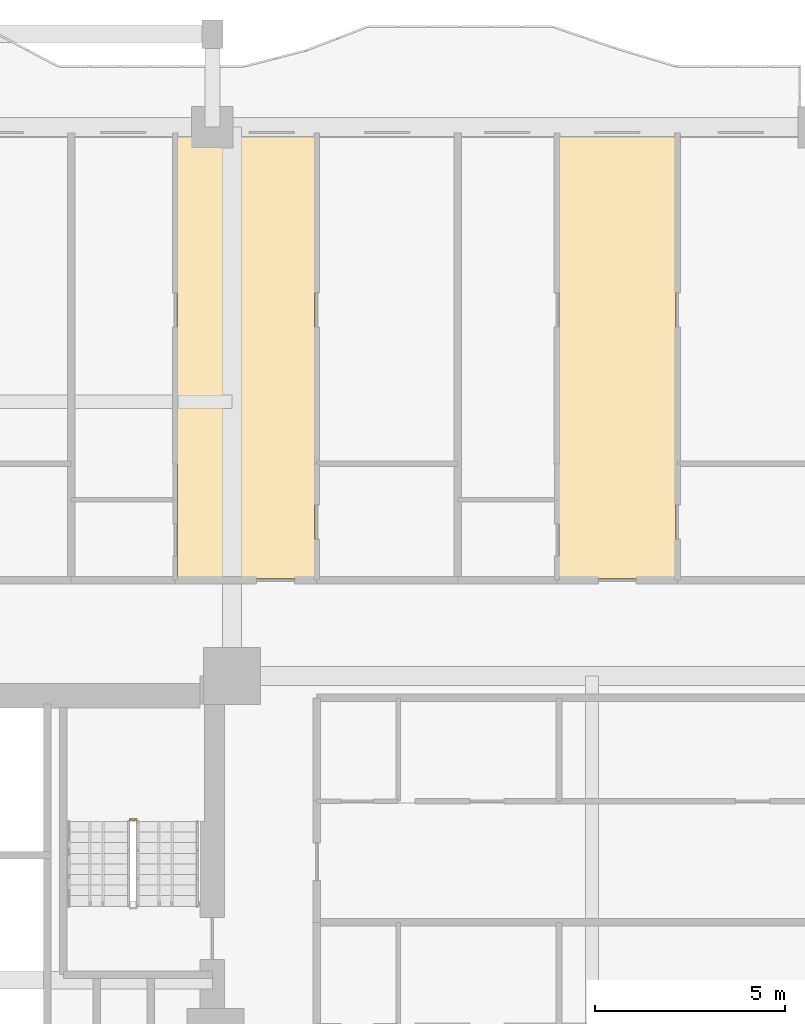
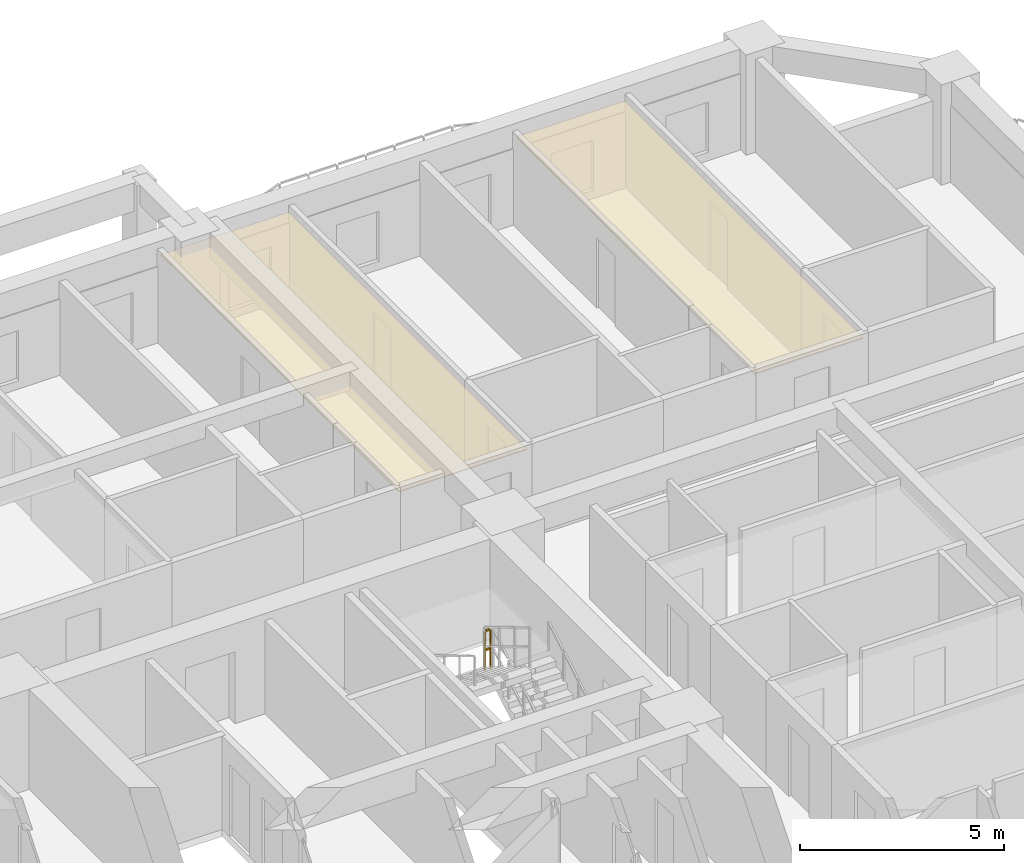
# One storey, part 18 of 18: 2 coverings, 1 railing.
"""IFC4 building model written with IfcOpenShell, lengths in metres."""

from ifc_helpers import new_model, si_unit, direction, frame, origin, origin_2d, place, context, subcontext, project, spatial, polyline, rectangle, outline, extrude, material, layer, layer_set, type_object, element, save


model = new_model("IFC4")

# Units and contexts
model_context = context("Model", 3, precision=1e-05, world=origin(), true_north=direction((0.0, 1.0)))
body_context = subcontext(model_context, "Body", "Model", "MODEL_VIEW")
ifc_project = project(units=[si_unit("LENGTHUNIT", "METRE"), si_unit("AREAUNIT", "SQUARE_METRE"), si_unit("VOLUMEUNIT", "CUBIC_METRE"), si_unit("PLANEANGLEUNIT", "RADIAN"), si_unit("MASSUNIT", "GRAM", prefix="KILO")], contexts=[model_context])

# Site, building, storey
site_placement = place(None, origin())
site = spatial("IfcSite", under=ifc_project, at=site_placement, CompositionType="ELEMENT")
building_placement = place(site_placement, origin())
building = spatial("IfcBuilding", under=site, at=building_placement, Name="Saelheon Loggia Tower", CompositionType="ELEMENT")
storey_placement = place(building_placement, frame((0.0, 0.0, 40.39990234375)))
storey = spatial("IfcBuildingStorey", under=building, at=storey_placement, Name="L12", CompositionType="ELEMENT", Elevation=40.39990234375)

# Coverings
ifc_material_1 = material(Name="Mineral-Fibre Acoustic Ceiling Board", Category="gypsum")
ifc_layer = layer(ifc_material_1, 0.02490234375)
ifc_layer_set = layer_set([ifc_layer], Name="Mineral-Fibre Acoustic Ceiling Board")
covering_type = type_object("IfcCoveringType", Name="Cov_Ceiling_Acoustic", PredefinedType="CEILING", material=ifc_layer_set)
covering_1_placement = place(storey_placement, frame((0.0, 0.0, 2.53515625)))
element("IfcCovering", 1, at=covering_1_placement, inside=storey, type_object=covering_type, Name="L12 Acoustic Suspended Ceiling", PredefinedType="CEILING", context=body_context, shape_type="SweptSolid", body=[
    extrude(outline(polyline([(43.57470703125, 39.10009765625), (47.199462890625, 39.10009765625), (47.199462890625, 50.800048828125), (43.57470703125, 50.800048828125), (43.57470703125, 39.10009765625)])), origin(), (0.0, 0.0, 1.0), 0.02490234375),
])
covering_2_placement = place(storey_placement, frame((0.0, 0.0, 2.53515625)))
element("IfcCovering", 2, at=covering_2_placement, inside=storey, type_object=covering_type, Name="L12 Acoustic Suspended Ceiling", PredefinedType="CEILING", context=body_context, shape_type="SweptSolid", body=[
    extrude(outline(polyline([(53.6396484375, 39.10009765625), (56.7177734375, 39.10009765625), (56.7177734375, 50.800048828125), (53.6396484375, 50.800048828125), (53.6396484375, 39.10009765625)])), origin(), (0.0, 0.0, 1.0), 0.02490234375),
])

# Railing
ifc_material_2 = material(Name="Galvanised Steel S275 Stairwell Guardrail", Category="steel")
railing_type = type_object("IfcRailingType", Name="Guard_StairWell_RL_STG", PredefinedType="GUARDRAIL", material=ifc_material_2)
railing_placement = place(storey_placement, frame((42.489990234375, 32.739990234375, 1.5)))
element("IfcRailing", 3, at=railing_placement, inside=storey, type_object=railing_type, Name="L12 ST2 stair guard 2", PredefinedType="GUARDRAIL", context=body_context, shape_type="SweptSolid", body=[
    extrude(rectangle(XDim=0.048095703125, YDim=0.048095703125, at=origin_2d()), frame((-0.033203125, 0.0, 1.17578125), z_axis=(-1.0, 0.0, 0.0), x_axis=(0.0, -1.0, 0.0)), (0.0, 0.0, 1.0), 0.093505859375),
    extrude(rectangle(XDim=0.048095703125, YDim=0.048095703125, at=origin_2d()), frame((-0.033203125, 0.0, 0.60009765625), z_axis=(-1.0, 0.0, 0.0), x_axis=(0.0, -1.0, 0.0)), (0.0, 0.0, 1.0), 0.093505859375),
    extrude(rectangle(XDim=0.0419921875, YDim=0.0419921875, at=origin_2d()), origin(), (0.0, 0.0, 1.0), 1.14794921875),
    extrude(rectangle(XDim=0.0419921875, YDim=0.0419921875, at=origin_2d()), frame((-0.159912109375, 0.0, 0.0)), (0.0, 0.0, 1.0), 1.14794921875),
])

save(model, "model.ifc")
